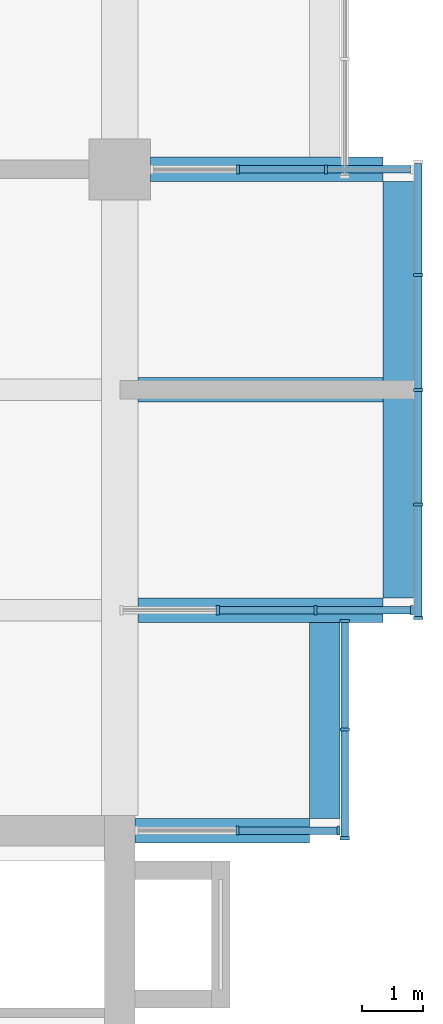
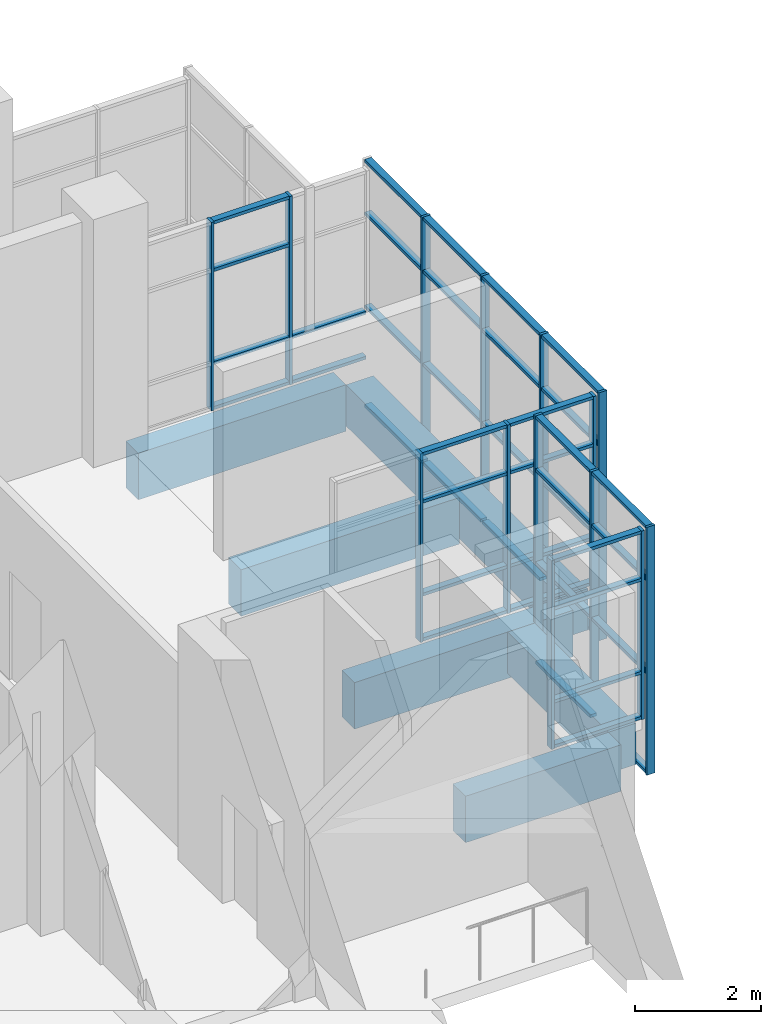
# One storey, part 16 of 35: 56 members, 7 beams, 5 elements without a shape of their own.
"""IFC4 building model written with IfcOpenShell, lengths in metres."""

from ifc_helpers import new_model, si_unit, direction, frame, origin, origin_2d, place, context, subcontext, project, spatial, rectangle, extrude, material, layer, layer_set, material_profile, profile_set, type_object, element, aggregate, save


model = new_model("IFC4")

# Units and contexts
model_context = context("Model", 3, precision=1e-05, world=origin(), true_north=direction((0.0, 1.0)))
body_context = subcontext(model_context, "Body", "Model", "MODEL_VIEW")
ifc_project = project(units=[si_unit("LENGTHUNIT", "METRE"), si_unit("AREAUNIT", "SQUARE_METRE"), si_unit("VOLUMEUNIT", "CUBIC_METRE"), si_unit("PLANEANGLEUNIT", "RADIAN"), si_unit("MASSUNIT", "GRAM", prefix="KILO")], contexts=[model_context])

# Site, building, storey
site_placement = place(None, origin())
site = spatial("IfcSite", under=ifc_project, at=site_placement, CompositionType="ELEMENT")
building_placement = place(site_placement, origin())
building = spatial("IfcBuilding", under=site, at=building_placement, Name="Basin Gate Institute", CompositionType="ELEMENT")
storey_placement = place(building_placement, frame((0.0, 0.0, 31.800048828125)))
storey = spatial("IfcBuildingStorey", under=building, at=storey_placement, Name="L06", CompositionType="ELEMENT", Elevation=31.800048828125)

# Beams
ifc_material_1 = material(Name="Concrete 50 MPa", Category="concrete")
ifc_material_profile_1 = material_profile(ifc_material_1, rectangle(XDim=0.39990234375, YDim=0.89990234375, at=origin_2d()), Name="Cantilever beam B3 400 x 900")
ifc_profile_set_1 = profile_set([ifc_material_profile_1], Name="Concrete 50 MPa")
beam_type_1 = type_object("IfcBeamType", Name="Cantilever beam B3 R120", PredefinedType="BEAM", material=ifc_profile_set_1)
beam_1_placement = place(storey_placement, frame((121.89990234375, 45.89990234375, -0.699951171875), z_axis=(-1.0, 0.0, 0.0), x_axis=(0.0, -1.0, 0.0)))
element("IfcBeam", 1, at=beam_1_placement, inside=storey, type_object=beam_type_1, material=ifc_profile_set_1, Name="BEAM/L06/E/CANT/04", PredefinedType="BEAM", context=body_context, shape_type="SweptSolid", body=[
    extrude(rectangle(XDim=0.39990234375, YDim=0.89990234375, at=origin_2d()), origin(), (0.0, 0.0, 1.0), 2.849853515625),
])
for number, where, z_axis, x_axis, name in (
    (2, (123.10009765625, 49.5, -0.699951171875), (-1.0, 0.0, 0.0), (0.0, -1.0, 0.0), "BEAM/L06/E/CANT/05"),
    (3, (123.10009765625, 53.10009765625, -0.699951171875), (-1.0, 0.0, 0.0), (0.0, -1.0, 0.0), "BEAM/L06/E/CANT/06"),
):
    element("IfcBeam", number, at=place(storey_placement, frame(where, z_axis=z_axis, x_axis=x_axis)), inside=storey, type_object=beam_type_1, material=ifc_profile_set_1, Name=name, PredefinedType="BEAM", context=body_context, shape_type="SweptSolid", body=[
        extrude(rectangle(XDim=0.39990234375, YDim=0.89990234375, at=origin_2d()), origin(), (0.0, 0.0, 1.0), 4.0),
    ])
beam_2_placement = place(storey_placement, frame((123.10009765625, 56.699951171875, -0.699951171875), z_axis=(-1.0, 0.0, 0.0), x_axis=(0.0, -1.0, 0.0)))
element("IfcBeam", 4, at=beam_2_placement, inside=storey, type_object=beam_type_1, material=ifc_profile_set_1, Name="BEAM/L06/E/CANT/07", PredefinedType="BEAM", context=body_context, shape_type="SweptSolid", body=[
    extrude(rectangle(XDim=0.39990234375, YDim=0.89990234375, at=origin_2d()), origin(), (0.0, 0.0, 1.0), 3.800048828125),
])

# Curtain wall, members
ifc_material_2 = material(Name="Aluminium-framed glazing", Category="aluminium")
ifc_layer = layer(ifc_material_2, 0.14990234375)
ifc_layer_set = layer_set([ifc_layer], Name="Capsule front curtain wall CW1")
curtain_wall_type = type_object("IfcCurtainWallType", Name="Capsule front curtain wall CW1", PredefinedType="NOTDEFINED", material=ifc_layer_set)
curtain_wall_1_placement = place(storey_placement, origin())
curtain_wall_1 = element("IfcCurtainWall", 5, at=curtain_wall_1_placement, inside=storey, type_object=curtain_wall_type, material=ifc_layer_set, Name="Capsule front curtain wall E wing capsule end L06 line 4", PredefinedType="NOTDEFINED")
ifc_material_3 = material(Name="Aluminium", Category="aluminium")
ifc_material_profile_2 = material_profile(ifc_material_3, rectangle(XDim=0.14990234375, YDim=0.050048828125, at=origin_2d()), Name="Mullion MU1 150 x 50")
ifc_profile_set_2 = profile_set([ifc_material_profile_2], Name="Aluminium")
member_type_1 = type_object("IfcMemberType", Name="Mullion MU1", PredefinedType="MULLION", material=ifc_profile_set_2)
member_1_placement = place(storey_placement, frame((122.375, 45.89990234375, 0.0), z_axis=(0.0, 0.0, 1.0), x_axis=(0.0, -1.0, 0.0)))
member_1 = element("IfcMember", 6, at=member_1_placement, type_object=member_type_1, material=ifc_profile_set_2, Name="CW1 mullion 1", PredefinedType="MULLION", context=body_context, shape_type="SweptSolid", body=[
    extrude(rectangle(XDim=0.14990234375, YDim=0.050048828125, at=origin_2d()), origin(), (0.0, 0.0, 1.0), 3.64990234375),
])
member_2_placement = place(storey_placement, frame((120.72509765625, 45.89990234375, 0.0), z_axis=(0.0, 0.0, 1.0), x_axis=(0.0, -1.0, 0.0)))
member_2 = element("IfcMember", 7, at=member_2_placement, type_object=member_type_1, material=ifc_profile_set_2, Name="CW1 mullion 2", PredefinedType="MULLION", context=body_context, shape_type="SweptSolid", body=[
    extrude(rectangle(XDim=0.14990234375, YDim=0.050048828125, at=origin_2d()), origin(), (0.0, 0.0, 1.0), 3.64990234375),
])

curtain_wall_2_placement = place(storey_placement, origin())
curtain_wall_2 = element("IfcCurtainWall", 8, at=curtain_wall_2_placement, inside=storey, type_object=curtain_wall_type, material=ifc_layer_set, Name="Capsule front curtain wall E wing capsule end L06 line 5", PredefinedType="NOTDEFINED")
member_3_placement = place(storey_placement, frame((123.574951171875, 49.5, 0.0), z_axis=(0.0, 0.0, 1.0), x_axis=(0.0, -1.0, 0.0)))
member_3 = element("IfcMember", 9, at=member_3_placement, type_object=member_type_1, material=ifc_profile_set_2, Name="CW1 mullion 1", PredefinedType="MULLION", context=body_context, shape_type="SweptSolid", body=[
    extrude(rectangle(XDim=0.14990234375, YDim=0.050048828125, at=origin_2d()), origin(), (0.0, 0.0, 1.0), 3.64990234375),
])
member_4_placement = place(storey_placement, frame((122.0, 49.5, 0.0), z_axis=(0.0, 0.0, 1.0), x_axis=(0.0, -1.0, 0.0)))
member_4 = element("IfcMember", 10, at=member_4_placement, type_object=member_type_1, material=ifc_profile_set_2, Name="CW1 mullion 2", PredefinedType="MULLION", context=body_context, shape_type="SweptSolid", body=[
    extrude(rectangle(XDim=0.14990234375, YDim=0.050048828125, at=origin_2d()), origin(), (0.0, 0.0, 1.0), 3.64990234375),
])
member_5_placement = place(storey_placement, frame((120.39990234375, 49.5, 0.0), z_axis=(0.0, 0.0, 1.0), x_axis=(0.0, -1.0, 0.0)))
member_5 = element("IfcMember", 11, at=member_5_placement, type_object=member_type_1, material=ifc_profile_set_2, Name="CW1 mullion 3", PredefinedType="MULLION", context=body_context, shape_type="SweptSolid", body=[
    extrude(rectangle(XDim=0.14990234375, YDim=0.050048828125, at=origin_2d()), origin(), (0.0, 0.0, 1.0), 3.64990234375),
])

curtain_wall_3_placement = place(storey_placement, origin())
curtain_wall_3 = element("IfcCurtainWall", 12, at=curtain_wall_3_placement, inside=storey, type_object=curtain_wall_type, material=ifc_layer_set, Name="Capsule front curtain wall E wing capsule end L06 line 7", PredefinedType="NOTDEFINED")
member_6_placement = place(storey_placement, frame((122.166748046875, 56.699951171875, 0.0), z_axis=(0.0, 0.0, 1.0), x_axis=(0.0, -1.0, 0.0)))
member_6 = element("IfcMember", 13, at=member_6_placement, type_object=member_type_1, material=ifc_profile_set_2, Name="CW1 mullion 2", PredefinedType="MULLION", context=body_context, shape_type="SweptSolid", body=[
    extrude(rectangle(XDim=0.14990234375, YDim=0.050048828125, at=origin_2d()), origin(), (0.0, 0.0, 1.0), 3.64990234375),
])
member_7_placement = place(storey_placement, frame((120.7333984375, 56.699951171875, 0.0), z_axis=(0.0, 0.0, 1.0), x_axis=(0.0, -1.0, 0.0)))
member_7 = element("IfcMember", 14, at=member_7_placement, type_object=member_type_1, material=ifc_profile_set_2, Name="CW1 mullion 3", PredefinedType="MULLION", context=body_context, shape_type="SweptSolid", body=[
    extrude(rectangle(XDim=0.14990234375, YDim=0.050048828125, at=origin_2d()), origin(), (0.0, 0.0, 1.0), 3.64990234375),
])

curtain_wall_4_placement = place(storey_placement, origin())
curtain_wall_4 = element("IfcCurtainWall", 15, at=curtain_wall_4_placement, inside=storey, type_object=curtain_wall_type, material=ifc_layer_set, Name="Capsule front curtain wall E wing capsule 1 L06 front 1", PredefinedType="NOTDEFINED")
member_8_placement = place(storey_placement, frame((122.47509765625, 45.77490234375, -1.050048828125), z_axis=(0.0, 0.0, 1.0), x_axis=(-1.0, 0.0, 0.0)))
member_8 = element("IfcMember", 16, at=member_8_placement, type_object=member_type_1, material=ifc_profile_set_2, Name="CW1 mullion 1", PredefinedType="MULLION", context=body_context, shape_type="SweptSolid", body=[
    extrude(rectangle(XDim=0.14990234375, YDim=0.050048828125, at=origin_2d()), origin(), (0.0, 0.0, 1.0), 4.800048828125),
])
member_9_placement = place(storey_placement, frame((122.47509765625, 47.550048828125, -1.050048828125), z_axis=(0.0, 0.0, 1.0), x_axis=(-1.0, 0.0, 0.0)))
member_9 = element("IfcMember", 17, at=member_9_placement, type_object=member_type_1, material=ifc_profile_set_2, Name="CW1 mullion 2", PredefinedType="MULLION", context=body_context, shape_type="SweptSolid", body=[
    extrude(rectangle(XDim=0.14990234375, YDim=0.050048828125, at=origin_2d()), origin(), (0.0, 0.0, 1.0), 4.800048828125),
])
member_10_placement = place(storey_placement, frame((122.47509765625, 49.324951171875, -1.050048828125), z_axis=(0.0, 0.0, 1.0), x_axis=(-1.0, 0.0, 0.0)))
member_10 = element("IfcMember", 18, at=member_10_placement, type_object=member_type_1, material=ifc_profile_set_2, Name="CW1 mullion 3", PredefinedType="MULLION", context=body_context, shape_type="SweptSolid", body=[
    extrude(rectangle(XDim=0.14990234375, YDim=0.050048828125, at=origin_2d()), origin(), (0.0, 0.0, 1.0), 4.800048828125),
])

curtain_wall_5_placement = place(storey_placement, origin())
curtain_wall_5 = element("IfcCurtainWall", 19, at=curtain_wall_5_placement, inside=storey, type_object=curtain_wall_type, material=ifc_layer_set, Name="Capsule front curtain wall E wing capsule 1 L06 front 2", PredefinedType="NOTDEFINED")
member_11_placement = place(storey_placement, frame((123.675048828125, 49.375, -1.050048828125), z_axis=(0.0, 0.0, 1.0), x_axis=(-1.0, 0.0, 0.0)))
member_11 = element("IfcMember", 20, at=member_11_placement, type_object=member_type_1, material=ifc_profile_set_2, Name="CW1 mullion 1", PredefinedType="MULLION", context=body_context, shape_type="SweptSolid", body=[
    extrude(rectangle(XDim=0.14990234375, YDim=0.050048828125, at=origin_2d()), origin(), (0.0, 0.0, 1.0), 4.800048828125),
])
member_12_placement = place(storey_placement, frame((123.675048828125, 51.22509765625, -1.050048828125), z_axis=(0.0, 0.0, 1.0), x_axis=(-1.0, 0.0, 0.0)))
member_12 = element("IfcMember", 21, at=member_12_placement, type_object=member_type_1, material=ifc_profile_set_2, Name="CW1 mullion 2", PredefinedType="MULLION", context=body_context, shape_type="SweptSolid", body=[
    extrude(rectangle(XDim=0.14990234375, YDim=0.050048828125, at=origin_2d()), origin(), (0.0, 0.0, 1.0), 4.800048828125),
])
member_13_placement = place(storey_placement, frame((123.675048828125, 53.10009765625, -1.050048828125), z_axis=(0.0, 0.0, 1.0), x_axis=(-1.0, 0.0, 0.0)))
member_13 = element("IfcMember", 22, at=member_13_placement, type_object=member_type_1, material=ifc_profile_set_2, Name="CW1 mullion 3", PredefinedType="MULLION", context=body_context, shape_type="SweptSolid", body=[
    extrude(rectangle(XDim=0.14990234375, YDim=0.050048828125, at=origin_2d()), origin(), (0.0, 0.0, 1.0), 4.800048828125),
])
member_14_placement = place(storey_placement, frame((123.675048828125, 54.97509765625, -1.050048828125), z_axis=(0.0, 0.0, 1.0), x_axis=(-1.0, 0.0, 0.0)))
member_14 = element("IfcMember", 23, at=member_14_placement, type_object=member_type_1, material=ifc_profile_set_2, Name="CW1 mullion 4", PredefinedType="MULLION", context=body_context, shape_type="SweptSolid", body=[
    extrude(rectangle(XDim=0.14990234375, YDim=0.050048828125, at=origin_2d()), origin(), (0.0, 0.0, 1.0), 4.800048828125),
])

# Beams
ifc_material_4 = material(Name="Concrete 50 MPa", Category="concrete")
ifc_material_profile_3 = material_profile(ifc_material_4, rectangle(XDim=0.5, YDim=0.800048828125, at=origin_2d()), Name="Tip beam TB1 500 x 800")
ifc_profile_set_3 = profile_set([ifc_material_profile_3], Name="Concrete 50 MPa")
beam_type_2 = type_object("IfcBeamType", Name="Tip beam TB1 R120", PredefinedType="SPANDREL", material=ifc_profile_set_3)
beam_3_placement = place(storey_placement, frame((122.14990234375, 46.10009765625, -0.650146484375), z_axis=(0.0, 1.0, 0.0), x_axis=(-1.0, 0.0, 0.0)))
element("IfcBeam", 24, at=beam_3_placement, inside=storey, type_object=beam_type_2, material=ifc_profile_set_3, Name="BEAM/L06/E/TIP/1", PredefinedType="SPANDREL", context=body_context, shape_type="SweptSolid", body=[
    extrude(rectangle(XDim=0.5, YDim=0.800048828125, at=origin_2d()), origin(), (0.0, 0.0, 1.0), 3.199951171875),
])
beam_4_placement = place(storey_placement, frame((123.35009765625, 49.699951171875, -0.650146484375), z_axis=(0.0, 1.0, 0.0), x_axis=(-1.0, 0.0, 0.0)))
element("IfcBeam", 25, at=beam_4_placement, inside=storey, type_object=beam_type_2, material=ifc_profile_set_3, Name="BEAM/L06/E/TIP/2", PredefinedType="SPANDREL", context=body_context, shape_type="SweptSolid", body=[
    extrude(rectangle(XDim=0.5, YDim=0.800048828125, at=origin_2d()), origin(), (0.0, 0.0, 1.0), 3.400146484375),
])
beam_5_placement = place(storey_placement, frame((123.35009765625, 53.10009765625, -0.650146484375), z_axis=(0.0, 1.0, 0.0), x_axis=(-1.0, 0.0, 0.0)))
element("IfcBeam", 26, at=beam_5_placement, inside=storey, type_object=beam_type_2, material=ifc_profile_set_3, Name="BEAM/L06/E/TIP/3", PredefinedType="SPANDREL", context=body_context, shape_type="SweptSolid", body=[
    extrude(rectangle(XDim=0.5, YDim=0.800048828125, at=origin_2d()), origin(), (0.0, 0.0, 1.0), 3.39990234375),
])

# Member
ifc_material_5 = material(Name="Aluminium", Category="aluminium")
ifc_material_profile_4 = material_profile(ifc_material_5, rectangle(XDim=0.1201171875, YDim=0.06005859375, at=origin_2d()), Name="Transom TR1 120 x 60")
ifc_profile_set_4 = profile_set([ifc_material_profile_4], Name="Aluminium")
member_type_2 = type_object("IfcMemberType", Name="Transom TR1", PredefinedType="USERDEFINED", material=ifc_profile_set_4)
member_15_placement = place(storey_placement, frame((122.35009765625, 45.89990234375, 0.030029296875), z_axis=(-1.0, 0.0, 0.0), x_axis=(0.0, -1.0, 0.0)))
member_15 = element("IfcMember", 27, at=member_15_placement, type_object=member_type_2, material=ifc_profile_set_4, Name="CW1 transom 1.1", ObjectType="TRANSOM", PredefinedType="USERDEFINED", context=body_context, shape_type="SweptSolid", body=[
    extrude(rectangle(XDim=0.1201171875, YDim=0.06005859375, at=origin_2d()), origin(), (0.0, 0.0, 1.0), 1.60009765625),
])

member_16_placement = place(storey_placement, frame((122.35009765625, 45.89990234375, 0.89990234375), z_axis=(-1.0, 0.0, 0.0), x_axis=(0.0, -1.0, 0.0)))
member_16 = element("IfcMember", 28, at=member_16_placement, type_object=member_type_2, material=ifc_profile_set_4, Name="CW1 transom 1.2", ObjectType="TRANSOM", PredefinedType="USERDEFINED", context=body_context, shape_type="SweptSolid", body=[
    extrude(rectangle(XDim=0.1201171875, YDim=0.06005859375, at=origin_2d()), origin(), (0.0, 0.0, 1.0), 1.60009765625),
])

member_17_placement = place(storey_placement, frame((122.35009765625, 45.89990234375, 2.699951171875), z_axis=(-1.0, 0.0, 0.0), x_axis=(0.0, -1.0, 0.0)))
member_17 = element("IfcMember", 29, at=member_17_placement, type_object=member_type_2, material=ifc_profile_set_4, Name="CW1 transom 1.3", ObjectType="TRANSOM", PredefinedType="USERDEFINED", context=body_context, shape_type="SweptSolid", body=[
    extrude(rectangle(XDim=0.1201171875, YDim=0.06005859375, at=origin_2d()), origin(), (0.0, 0.0, 1.0), 1.60009765625),
])

member_18_placement = place(storey_placement, frame((122.35009765625, 45.89990234375, 3.619873046875), z_axis=(-1.0, 0.0, 0.0), x_axis=(0.0, -1.0, 0.0)))
member_18 = element("IfcMember", 30, at=member_18_placement, type_object=member_type_2, material=ifc_profile_set_4, Name="CW1 transom 1.4", ObjectType="TRANSOM", PredefinedType="USERDEFINED", context=body_context, shape_type="SweptSolid", body=[
    extrude(rectangle(XDim=0.1201171875, YDim=0.06005859375, at=origin_2d()), origin(), (0.0, 0.0, 1.0), 1.60009765625),
])

aggregate(curtain_wall_1, [member_1, member_2, member_15, member_16, member_17, member_18])

member_19_placement = place(storey_placement, frame((123.550048828125, 49.5, 0.030029296875), z_axis=(-1.0, 0.0, 0.0), x_axis=(0.0, -1.0, 0.0)))
member_19 = element("IfcMember", 31, at=member_19_placement, type_object=member_type_2, material=ifc_profile_set_4, Name="CW1 transom 1.1", ObjectType="TRANSOM", PredefinedType="USERDEFINED", context=body_context, shape_type="SweptSolid", body=[
    extrude(rectangle(XDim=0.1201171875, YDim=0.06005859375, at=origin_2d()), origin(), (0.0, 0.0, 1.0), 1.525146484375),
])

member_20_placement = place(storey_placement, frame((123.550048828125, 49.5, 0.89990234375), z_axis=(-1.0, 0.0, 0.0), x_axis=(0.0, -1.0, 0.0)))
member_20 = element("IfcMember", 32, at=member_20_placement, type_object=member_type_2, material=ifc_profile_set_4, Name="CW1 transom 1.2", ObjectType="TRANSOM", PredefinedType="USERDEFINED", context=body_context, shape_type="SweptSolid", body=[
    extrude(rectangle(XDim=0.1201171875, YDim=0.06005859375, at=origin_2d()), origin(), (0.0, 0.0, 1.0), 1.525146484375),
])

member_21_placement = place(storey_placement, frame((123.550048828125, 49.5, 2.699951171875), z_axis=(-1.0, 0.0, 0.0), x_axis=(0.0, -1.0, 0.0)))
member_21 = element("IfcMember", 33, at=member_21_placement, type_object=member_type_2, material=ifc_profile_set_4, Name="CW1 transom 1.3", ObjectType="TRANSOM", PredefinedType="USERDEFINED", context=body_context, shape_type="SweptSolid", body=[
    extrude(rectangle(XDim=0.1201171875, YDim=0.06005859375, at=origin_2d()), origin(), (0.0, 0.0, 1.0), 1.525146484375),
])

member_22_placement = place(storey_placement, frame((123.550048828125, 49.5, 3.619873046875), z_axis=(-1.0, 0.0, 0.0), x_axis=(0.0, -1.0, 0.0)))
member_22 = element("IfcMember", 34, at=member_22_placement, type_object=member_type_2, material=ifc_profile_set_4, Name="CW1 transom 1.4", ObjectType="TRANSOM", PredefinedType="USERDEFINED", context=body_context, shape_type="SweptSolid", body=[
    extrude(rectangle(XDim=0.1201171875, YDim=0.06005859375, at=origin_2d()), origin(), (0.0, 0.0, 1.0), 1.525146484375),
])

member_23_placement = place(storey_placement, frame((121.97509765625, 49.5, 0.030029296875), z_axis=(-1.0, 0.0, 0.0), x_axis=(0.0, -1.0, 0.0)))
member_23 = element("IfcMember", 35, at=member_23_placement, type_object=member_type_2, material=ifc_profile_set_4, Name="CW1 transom 2.1", ObjectType="TRANSOM", PredefinedType="USERDEFINED", context=body_context, shape_type="SweptSolid", body=[
    extrude(rectangle(XDim=0.1201171875, YDim=0.06005859375, at=origin_2d()), origin(), (0.0, 0.0, 1.0), 1.550048828125),
])

member_24_placement = place(storey_placement, frame((121.97509765625, 49.5, 0.89990234375), z_axis=(-1.0, 0.0, 0.0), x_axis=(0.0, -1.0, 0.0)))
member_24 = element("IfcMember", 36, at=member_24_placement, type_object=member_type_2, material=ifc_profile_set_4, Name="CW1 transom 2.2", ObjectType="TRANSOM", PredefinedType="USERDEFINED", context=body_context, shape_type="SweptSolid", body=[
    extrude(rectangle(XDim=0.1201171875, YDim=0.06005859375, at=origin_2d()), origin(), (0.0, 0.0, 1.0), 1.550048828125),
])

member_25_placement = place(storey_placement, frame((121.97509765625, 49.5, 2.699951171875), z_axis=(-1.0, 0.0, 0.0), x_axis=(0.0, -1.0, 0.0)))
member_25 = element("IfcMember", 37, at=member_25_placement, type_object=member_type_2, material=ifc_profile_set_4, Name="CW1 transom 2.3", ObjectType="TRANSOM", PredefinedType="USERDEFINED", context=body_context, shape_type="SweptSolid", body=[
    extrude(rectangle(XDim=0.1201171875, YDim=0.06005859375, at=origin_2d()), origin(), (0.0, 0.0, 1.0), 1.550048828125),
])

member_26_placement = place(storey_placement, frame((121.97509765625, 49.5, 3.619873046875), z_axis=(-1.0, 0.0, 0.0), x_axis=(0.0, -1.0, 0.0)))
member_26 = element("IfcMember", 38, at=member_26_placement, type_object=member_type_2, material=ifc_profile_set_4, Name="CW1 transom 2.4", ObjectType="TRANSOM", PredefinedType="USERDEFINED", context=body_context, shape_type="SweptSolid", body=[
    extrude(rectangle(XDim=0.1201171875, YDim=0.06005859375, at=origin_2d()), origin(), (0.0, 0.0, 1.0), 1.550048828125),
])

aggregate(curtain_wall_2, [member_3, member_4, member_5, member_19, member_20, member_21, member_22, member_23, member_24, member_25, member_26])

member_27_placement = place(storey_placement, frame((123.550048828125, 56.699951171875, 0.030029296875), z_axis=(-1.0, 0.0, 0.0), x_axis=(0.0, -1.0, 0.0)))
member_27 = element("IfcMember", 39, at=member_27_placement, type_object=member_type_2, material=ifc_profile_set_4, Name="CW1 transom 1.1", ObjectType="TRANSOM", PredefinedType="USERDEFINED", context=body_context, shape_type="SweptSolid", body=[
    extrude(rectangle(XDim=0.1201171875, YDim=0.06005859375, at=origin_2d()), origin(), (0.0, 0.0, 1.0), 1.3583984375),
])

member_28_placement = place(storey_placement, frame((123.550048828125, 56.699951171875, 0.89990234375), z_axis=(-1.0, 0.0, 0.0), x_axis=(0.0, -1.0, 0.0)))
member_28 = element("IfcMember", 40, at=member_28_placement, type_object=member_type_2, material=ifc_profile_set_4, Name="CW1 transom 1.2", ObjectType="TRANSOM", PredefinedType="USERDEFINED", context=body_context, shape_type="SweptSolid", body=[
    extrude(rectangle(XDim=0.1201171875, YDim=0.06005859375, at=origin_2d()), origin(), (0.0, 0.0, 1.0), 1.3583984375),
])

member_29_placement = place(storey_placement, frame((122.1416015625, 56.699951171875, 0.030029296875), z_axis=(-1.0, 0.0, 0.0), x_axis=(0.0, -1.0, 0.0)))
member_29 = element("IfcMember", 41, at=member_29_placement, type_object=member_type_2, material=ifc_profile_set_4, Name="CW1 transom 2.1", ObjectType="TRANSOM", PredefinedType="USERDEFINED", context=body_context, shape_type="SweptSolid", body=[
    extrude(rectangle(XDim=0.1201171875, YDim=0.06005859375, at=origin_2d()), origin(), (0.0, 0.0, 1.0), 1.38330078125),
])

member_30_placement = place(storey_placement, frame((122.1416015625, 56.699951171875, 0.89990234375), z_axis=(-1.0, 0.0, 0.0), x_axis=(0.0, -1.0, 0.0)))
member_30 = element("IfcMember", 42, at=member_30_placement, type_object=member_type_2, material=ifc_profile_set_4, Name="CW1 transom 2.2", ObjectType="TRANSOM", PredefinedType="USERDEFINED", context=body_context, shape_type="SweptSolid", body=[
    extrude(rectangle(XDim=0.1201171875, YDim=0.06005859375, at=origin_2d()), origin(), (0.0, 0.0, 1.0), 1.38330078125),
])

member_31_placement = place(storey_placement, frame((122.1416015625, 56.699951171875, 2.699951171875), z_axis=(-1.0, 0.0, 0.0), x_axis=(0.0, -1.0, 0.0)))
member_31 = element("IfcMember", 43, at=member_31_placement, type_object=member_type_2, material=ifc_profile_set_4, Name="CW1 transom 2.3", ObjectType="TRANSOM", PredefinedType="USERDEFINED", context=body_context, shape_type="SweptSolid", body=[
    extrude(rectangle(XDim=0.1201171875, YDim=0.06005859375, at=origin_2d()), origin(), (0.0, 0.0, 1.0), 1.38330078125),
])

member_32_placement = place(storey_placement, frame((122.1416015625, 56.699951171875, 3.619873046875), z_axis=(-1.0, 0.0, 0.0), x_axis=(0.0, -1.0, 0.0)))
member_32 = element("IfcMember", 44, at=member_32_placement, type_object=member_type_2, material=ifc_profile_set_4, Name="CW1 transom 2.4", ObjectType="TRANSOM", PredefinedType="USERDEFINED", context=body_context, shape_type="SweptSolid", body=[
    extrude(rectangle(XDim=0.1201171875, YDim=0.06005859375, at=origin_2d()), origin(), (0.0, 0.0, 1.0), 1.38330078125),
])

aggregate(curtain_wall_3, [member_6, member_7, member_27, member_28, member_29, member_30, member_31, member_32])

member_33_placement = place(storey_placement, frame((122.47509765625, 45.800048828125, -1.02001953125), z_axis=(0.0, 1.0, 0.0), x_axis=(-1.0, 0.0, 0.0)))
member_33 = element("IfcMember", 45, at=member_33_placement, type_object=member_type_2, material=ifc_profile_set_4, Name="CW1 transom 1.1", ObjectType="TRANSOM", PredefinedType="USERDEFINED", context=body_context, shape_type="SweptSolid", body=[
    extrude(rectangle(XDim=0.1201171875, YDim=0.06005859375, at=origin_2d()), origin(), (0.0, 0.0, 1.0), 1.724853515625),
])

member_34_placement = place(storey_placement, frame((122.47509765625, 45.800048828125, 0.89990234375), z_axis=(0.0, 1.0, 0.0), x_axis=(-1.0, 0.0, 0.0)))
member_34 = element("IfcMember", 46, at=member_34_placement, type_object=member_type_2, material=ifc_profile_set_4, Name="CW1 transom 1.2", ObjectType="TRANSOM", PredefinedType="USERDEFINED", context=body_context, shape_type="SweptSolid", body=[
    extrude(rectangle(XDim=0.1201171875, YDim=0.06005859375, at=origin_2d()), origin(), (0.0, 0.0, 1.0), 1.724853515625),
])

member_35_placement = place(storey_placement, frame((122.47509765625, 45.800048828125, 2.699951171875), z_axis=(0.0, 1.0, 0.0), x_axis=(-1.0, 0.0, 0.0)))
member_35 = element("IfcMember", 47, at=member_35_placement, type_object=member_type_2, material=ifc_profile_set_4, Name="CW1 transom 1.3", ObjectType="TRANSOM", PredefinedType="USERDEFINED", context=body_context, shape_type="SweptSolid", body=[
    extrude(rectangle(XDim=0.1201171875, YDim=0.06005859375, at=origin_2d()), origin(), (0.0, 0.0, 1.0), 1.724853515625),
])

member_36_placement = place(storey_placement, frame((122.47509765625, 45.800048828125, 3.719970703125), z_axis=(0.0, 1.0, 0.0), x_axis=(-1.0, 0.0, 0.0)))
member_36 = element("IfcMember", 48, at=member_36_placement, type_object=member_type_2, material=ifc_profile_set_4, Name="CW1 transom 1.4", ObjectType="TRANSOM", PredefinedType="USERDEFINED", context=body_context, shape_type="SweptSolid", body=[
    extrude(rectangle(XDim=0.1201171875, YDim=0.06005859375, at=origin_2d()), origin(), (0.0, 0.0, 1.0), 1.724853515625),
])

member_37_placement = place(storey_placement, frame((122.47509765625, 47.574951171875, -1.02001953125), z_axis=(0.0, 1.0, 0.0), x_axis=(-1.0, 0.0, 0.0)))
member_37 = element("IfcMember", 49, at=member_37_placement, type_object=member_type_2, material=ifc_profile_set_4, Name="CW1 transom 2.1", ObjectType="TRANSOM", PredefinedType="USERDEFINED", context=body_context, shape_type="SweptSolid", body=[
    extrude(rectangle(XDim=0.1201171875, YDim=0.06005859375, at=origin_2d()), origin(), (0.0, 0.0, 1.0), 1.72509765625),
])

member_38_placement = place(storey_placement, frame((122.47509765625, 47.574951171875, 0.89990234375), z_axis=(0.0, 1.0, 0.0), x_axis=(-1.0, 0.0, 0.0)))
member_38 = element("IfcMember", 50, at=member_38_placement, type_object=member_type_2, material=ifc_profile_set_4, Name="CW1 transom 2.2", ObjectType="TRANSOM", PredefinedType="USERDEFINED", context=body_context, shape_type="SweptSolid", body=[
    extrude(rectangle(XDim=0.1201171875, YDim=0.06005859375, at=origin_2d()), origin(), (0.0, 0.0, 1.0), 1.72509765625),
])

member_39_placement = place(storey_placement, frame((122.47509765625, 47.574951171875, 2.699951171875), z_axis=(0.0, 1.0, 0.0), x_axis=(-1.0, 0.0, 0.0)))
member_39 = element("IfcMember", 51, at=member_39_placement, type_object=member_type_2, material=ifc_profile_set_4, Name="CW1 transom 2.3", ObjectType="TRANSOM", PredefinedType="USERDEFINED", context=body_context, shape_type="SweptSolid", body=[
    extrude(rectangle(XDim=0.1201171875, YDim=0.06005859375, at=origin_2d()), origin(), (0.0, 0.0, 1.0), 1.72509765625),
])

member_40_placement = place(storey_placement, frame((122.47509765625, 47.574951171875, 3.719970703125), z_axis=(0.0, 1.0, 0.0), x_axis=(-1.0, 0.0, 0.0)))
member_40 = element("IfcMember", 52, at=member_40_placement, type_object=member_type_2, material=ifc_profile_set_4, Name="CW1 transom 2.4", ObjectType="TRANSOM", PredefinedType="USERDEFINED", context=body_context, shape_type="SweptSolid", body=[
    extrude(rectangle(XDim=0.1201171875, YDim=0.06005859375, at=origin_2d()), origin(), (0.0, 0.0, 1.0), 1.72509765625),
])

aggregate(curtain_wall_4, [member_8, member_9, member_10, member_33, member_34, member_35, member_36, member_37, member_38, member_39, member_40])

member_41_placement = place(storey_placement, frame((123.675048828125, 49.39990234375, -1.02001953125), z_axis=(0.0, 1.0, 0.0), x_axis=(-1.0, 0.0, 0.0)))
member_41 = element("IfcMember", 53, at=member_41_placement, type_object=member_type_2, material=ifc_profile_set_4, Name="CW1 transom 1.1", ObjectType="TRANSOM", PredefinedType="USERDEFINED", context=body_context, shape_type="SweptSolid", body=[
    extrude(rectangle(XDim=0.1201171875, YDim=0.06005859375, at=origin_2d()), origin(), (0.0, 0.0, 1.0), 1.800048828125),
])

member_42_placement = place(storey_placement, frame((123.675048828125, 49.39990234375, 0.89990234375), z_axis=(0.0, 1.0, 0.0), x_axis=(-1.0, 0.0, 0.0)))
member_42 = element("IfcMember", 54, at=member_42_placement, type_object=member_type_2, material=ifc_profile_set_4, Name="CW1 transom 1.2", ObjectType="TRANSOM", PredefinedType="USERDEFINED", context=body_context, shape_type="SweptSolid", body=[
    extrude(rectangle(XDim=0.1201171875, YDim=0.06005859375, at=origin_2d()), origin(), (0.0, 0.0, 1.0), 1.800048828125),
])

member_43_placement = place(storey_placement, frame((123.675048828125, 49.39990234375, 2.699951171875), z_axis=(0.0, 1.0, 0.0), x_axis=(-1.0, 0.0, 0.0)))
member_43 = element("IfcMember", 55, at=member_43_placement, type_object=member_type_2, material=ifc_profile_set_4, Name="CW1 transom 1.3", ObjectType="TRANSOM", PredefinedType="USERDEFINED", context=body_context, shape_type="SweptSolid", body=[
    extrude(rectangle(XDim=0.1201171875, YDim=0.06005859375, at=origin_2d()), origin(), (0.0, 0.0, 1.0), 1.800048828125),
])

member_44_placement = place(storey_placement, frame((123.675048828125, 49.39990234375, 3.719970703125), z_axis=(0.0, 1.0, 0.0), x_axis=(-1.0, 0.0, 0.0)))
member_44 = element("IfcMember", 56, at=member_44_placement, type_object=member_type_2, material=ifc_profile_set_4, Name="CW1 transom 1.4", ObjectType="TRANSOM", PredefinedType="USERDEFINED", context=body_context, shape_type="SweptSolid", body=[
    extrude(rectangle(XDim=0.1201171875, YDim=0.06005859375, at=origin_2d()), origin(), (0.0, 0.0, 1.0), 1.800048828125),
])

member_45_placement = place(storey_placement, frame((123.675048828125, 51.25, -1.02001953125), z_axis=(0.0, 1.0, 0.0), x_axis=(-1.0, 0.0, 0.0)))
member_45 = element("IfcMember", 57, at=member_45_placement, type_object=member_type_2, material=ifc_profile_set_4, Name="CW1 transom 2.1", ObjectType="TRANSOM", PredefinedType="USERDEFINED", context=body_context, shape_type="SweptSolid", body=[
    extrude(rectangle(XDim=0.1201171875, YDim=0.06005859375, at=origin_2d()), origin(), (0.0, 0.0, 1.0), 1.824951171875),
])

member_46_placement = place(storey_placement, frame((123.675048828125, 51.25, 0.89990234375), z_axis=(0.0, 1.0, 0.0), x_axis=(-1.0, 0.0, 0.0)))
member_46 = element("IfcMember", 58, at=member_46_placement, type_object=member_type_2, material=ifc_profile_set_4, Name="CW1 transom 2.2", ObjectType="TRANSOM", PredefinedType="USERDEFINED", context=body_context, shape_type="SweptSolid", body=[
    extrude(rectangle(XDim=0.1201171875, YDim=0.06005859375, at=origin_2d()), origin(), (0.0, 0.0, 1.0), 1.824951171875),
])

member_47_placement = place(storey_placement, frame((123.675048828125, 51.25, 2.699951171875), z_axis=(0.0, 1.0, 0.0), x_axis=(-1.0, 0.0, 0.0)))
member_47 = element("IfcMember", 59, at=member_47_placement, type_object=member_type_2, material=ifc_profile_set_4, Name="CW1 transom 2.3", ObjectType="TRANSOM", PredefinedType="USERDEFINED", context=body_context, shape_type="SweptSolid", body=[
    extrude(rectangle(XDim=0.1201171875, YDim=0.06005859375, at=origin_2d()), origin(), (0.0, 0.0, 1.0), 1.824951171875),
])

member_48_placement = place(storey_placement, frame((123.675048828125, 51.25, 3.719970703125), z_axis=(0.0, 1.0, 0.0), x_axis=(-1.0, 0.0, 0.0)))
member_48 = element("IfcMember", 60, at=member_48_placement, type_object=member_type_2, material=ifc_profile_set_4, Name="CW1 transom 2.4", ObjectType="TRANSOM", PredefinedType="USERDEFINED", context=body_context, shape_type="SweptSolid", body=[
    extrude(rectangle(XDim=0.1201171875, YDim=0.06005859375, at=origin_2d()), origin(), (0.0, 0.0, 1.0), 1.824951171875),
])

member_49_placement = place(storey_placement, frame((123.675048828125, 53.125, -1.02001953125), z_axis=(0.0, 1.0, 0.0), x_axis=(-1.0, 0.0, 0.0)))
member_49 = element("IfcMember", 61, at=member_49_placement, type_object=member_type_2, material=ifc_profile_set_4, Name="CW1 transom 3.1", ObjectType="TRANSOM", PredefinedType="USERDEFINED", context=body_context, shape_type="SweptSolid", body=[
    extrude(rectangle(XDim=0.1201171875, YDim=0.06005859375, at=origin_2d()), origin(), (0.0, 0.0, 1.0), 1.824951171875),
])

member_50_placement = place(storey_placement, frame((123.675048828125, 53.125, 0.89990234375), z_axis=(0.0, 1.0, 0.0), x_axis=(-1.0, 0.0, 0.0)))
member_50 = element("IfcMember", 62, at=member_50_placement, type_object=member_type_2, material=ifc_profile_set_4, Name="CW1 transom 3.2", ObjectType="TRANSOM", PredefinedType="USERDEFINED", context=body_context, shape_type="SweptSolid", body=[
    extrude(rectangle(XDim=0.1201171875, YDim=0.06005859375, at=origin_2d()), origin(), (0.0, 0.0, 1.0), 1.824951171875),
])

member_51_placement = place(storey_placement, frame((123.675048828125, 53.125, 2.699951171875), z_axis=(0.0, 1.0, 0.0), x_axis=(-1.0, 0.0, 0.0)))
member_51 = element("IfcMember", 63, at=member_51_placement, type_object=member_type_2, material=ifc_profile_set_4, Name="CW1 transom 3.3", ObjectType="TRANSOM", PredefinedType="USERDEFINED", context=body_context, shape_type="SweptSolid", body=[
    extrude(rectangle(XDim=0.1201171875, YDim=0.06005859375, at=origin_2d()), origin(), (0.0, 0.0, 1.0), 1.824951171875),
])

member_52_placement = place(storey_placement, frame((123.675048828125, 53.125, 3.719970703125), z_axis=(0.0, 1.0, 0.0), x_axis=(-1.0, 0.0, 0.0)))
member_52 = element("IfcMember", 64, at=member_52_placement, type_object=member_type_2, material=ifc_profile_set_4, Name="CW1 transom 3.4", ObjectType="TRANSOM", PredefinedType="USERDEFINED", context=body_context, shape_type="SweptSolid", body=[
    extrude(rectangle(XDim=0.1201171875, YDim=0.06005859375, at=origin_2d()), origin(), (0.0, 0.0, 1.0), 1.824951171875),
])

member_53_placement = place(storey_placement, frame((123.675048828125, 55.0, -1.02001953125), z_axis=(0.0, 1.0, 0.0), x_axis=(-1.0, 0.0, 0.0)))
member_53 = element("IfcMember", 65, at=member_53_placement, type_object=member_type_2, material=ifc_profile_set_4, Name="CW1 transom 4.1", ObjectType="TRANSOM", PredefinedType="USERDEFINED", context=body_context, shape_type="SweptSolid", body=[
    extrude(rectangle(XDim=0.1201171875, YDim=0.06005859375, at=origin_2d()), origin(), (0.0, 0.0, 1.0), 1.800048828125),
])

member_54_placement = place(storey_placement, frame((123.675048828125, 55.0, 0.89990234375), z_axis=(0.0, 1.0, 0.0), x_axis=(-1.0, 0.0, 0.0)))
member_54 = element("IfcMember", 66, at=member_54_placement, type_object=member_type_2, material=ifc_profile_set_4, Name="CW1 transom 4.2", ObjectType="TRANSOM", PredefinedType="USERDEFINED", context=body_context, shape_type="SweptSolid", body=[
    extrude(rectangle(XDim=0.1201171875, YDim=0.06005859375, at=origin_2d()), origin(), (0.0, 0.0, 1.0), 1.800048828125),
])

member_55_placement = place(storey_placement, frame((123.675048828125, 55.0, 2.699951171875), z_axis=(0.0, 1.0, 0.0), x_axis=(-1.0, 0.0, 0.0)))
member_55 = element("IfcMember", 67, at=member_55_placement, type_object=member_type_2, material=ifc_profile_set_4, Name="CW1 transom 4.3", ObjectType="TRANSOM", PredefinedType="USERDEFINED", context=body_context, shape_type="SweptSolid", body=[
    extrude(rectangle(XDim=0.1201171875, YDim=0.06005859375, at=origin_2d()), origin(), (0.0, 0.0, 1.0), 1.800048828125),
])

member_56_placement = place(storey_placement, frame((123.675048828125, 55.0, 3.719970703125), z_axis=(0.0, 1.0, 0.0), x_axis=(-1.0, 0.0, 0.0)))
member_56 = element("IfcMember", 68, at=member_56_placement, type_object=member_type_2, material=ifc_profile_set_4, Name="CW1 transom 4.4", ObjectType="TRANSOM", PredefinedType="USERDEFINED", context=body_context, shape_type="SweptSolid", body=[
    extrude(rectangle(XDim=0.1201171875, YDim=0.06005859375, at=origin_2d()), origin(), (0.0, 0.0, 1.0), 1.800048828125),
])

aggregate(curtain_wall_5, [member_11, member_12, member_13, member_14, member_41, member_42, member_43, member_44, member_45, member_46, member_47, member_48, member_49, member_50, member_51, member_52, member_53, member_54, member_55, member_56])

save(model, "model.ifc")
